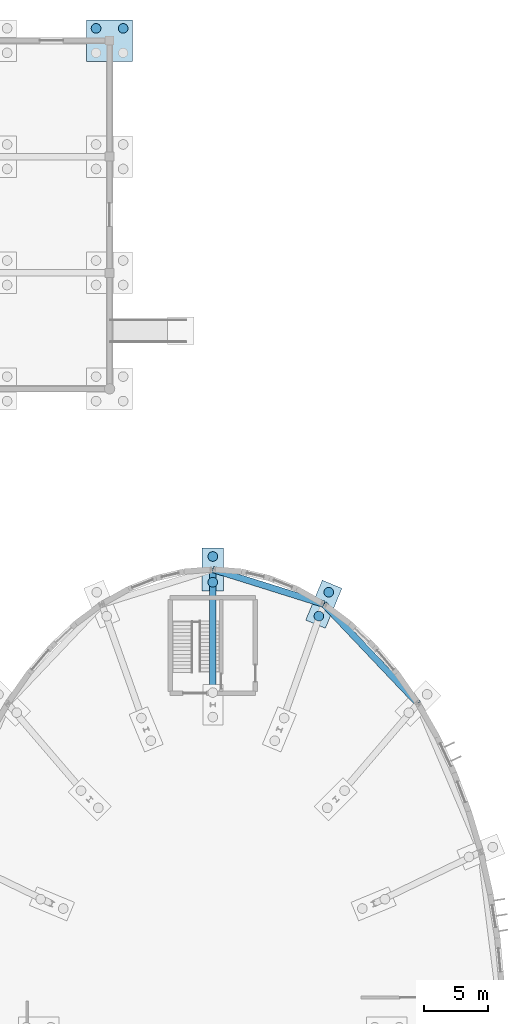
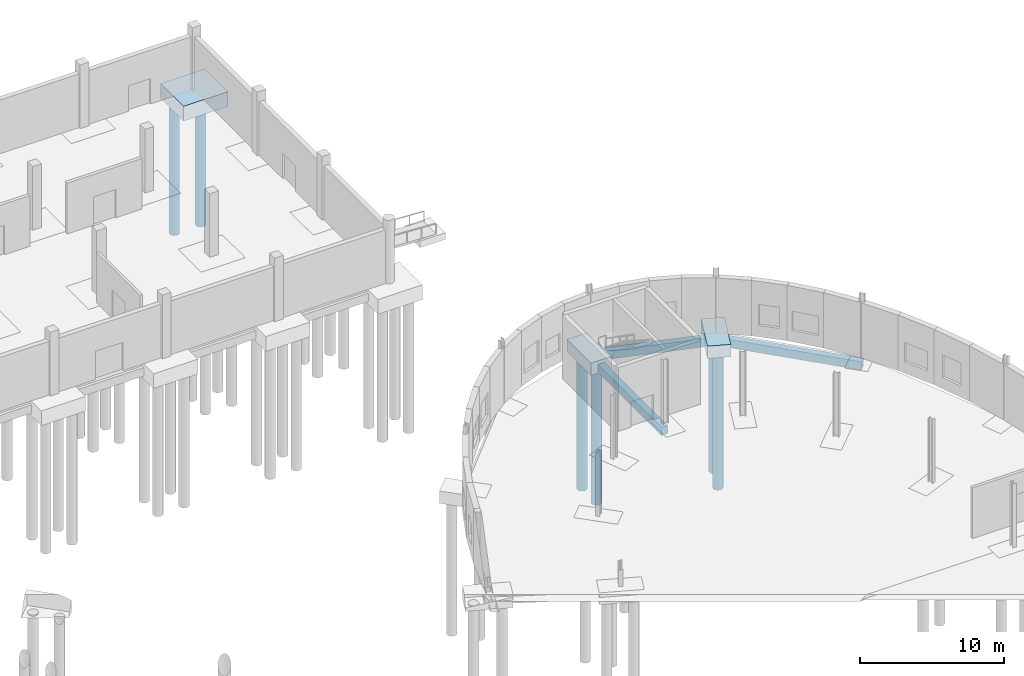
# One storey, part 13 of 118: 6 footings, 6 piles.
"""IFC4 building model written with IfcOpenShell, lengths in metres."""

from ifc_helpers import new_model, si_unit, direction, frame, origin, origin_2d, place, context, subcontext, project, spatial, rectangle, circle, extrude, material, material_profile, profile_set, type_object, element, save


model = new_model("IFC4")

# Units and contexts
model_context = context("Model", 3, precision=1e-05, world=origin(), true_north=direction((0.0, 1.0)))
body_context = subcontext(model_context, "Body", "Model", "MODEL_VIEW")
ifc_project = project(units=[si_unit("LENGTHUNIT", "METRE"), si_unit("AREAUNIT", "SQUARE_METRE"), si_unit("VOLUMEUNIT", "CUBIC_METRE"), si_unit("PLANEANGLEUNIT", "RADIAN"), si_unit("MASSUNIT", "GRAM", prefix="KILO")], contexts=[model_context])

# Site, building, storey
site_placement = place(None, origin())
site = spatial("IfcSite", under=ifc_project, at=site_placement, CompositionType="ELEMENT")
building_placement = place(site_placement, origin())
building = spatial("IfcBuilding", under=site, at=building_placement, Name="Kildeholm Park Wholesale Market", CompositionType="ELEMENT")
storey_placement = place(building_placement, origin())
storey = spatial("IfcBuildingStorey", under=building, at=storey_placement, Name="L00", CompositionType="ELEMENT", Elevation=0.0)

# Piles
ifc_material = material(Name="Concrete C35/45", Category="concrete")
ifc_material_profile_1 = material_profile(ifc_material, circle(Radius=0.375, at=origin_2d()), Name="PILE D750")
ifc_profile_set_1 = profile_set([ifc_material_profile_1], Name="Concrete C35/45")
pile_type = type_object("IfcPileType", Name="Bored pile 750 mm", PredefinedType="BORED", material=ifc_profile_set_1)
for number, where, z_axis, x_axis, name in (
    (1, (196.227294921875, 126.3740234375, -0.949951171875), (0.0, 0.0, -1.0), (1.0, 0.0, 0.0), "Bored pile V2-OT-03.1 PIL-0327"),
    (2, (196.99267578125, 128.221923828125, -0.949951171875), (0.0, 0.0, -1.0), (1.0, 0.0, 0.0), "Bored pile V2-OT-03.2 PIL-0328"),
    (3, (188.0, 129.0, -0.949951171875), (0.0, 0.0, -1.0), (1.0, 0.0, 0.0), "Bored pile V2-OT-04.1 PIL-0331"),
    (4, (188.0, 131.0, -0.949951171875), (0.0, 0.0, -1.0), (1.0, 0.0, 0.0), "Bored pile V2-OT-04.2 PIL-0332"),
):
    element("IfcPile", number, at=place(storey_placement, frame(where, z_axis=z_axis, x_axis=x_axis)), inside=storey, type_object=pile_type, Name=name, PredefinedType="BORED", context=body_context, shape_type="SweptSolid", body=[
        extrude(circle(Radius=0.375, at=origin_2d()), origin(), (0.0, 0.0, 1.0), 11.550048828125),
    ])
for number, where, z_axis, x_axis, name in (
    (5, (178.949951171875, 171.949951171875, -1.14990234375), (0.0, 0.0, -1.0), (1.0, 0.0, 0.0), "Bored pile V4-180-171.3 PIL-0859"),
    (6, (181.050048828125, 171.949951171875, -1.14990234375), (0.0, 0.0, -1.0), (1.0, 0.0, 0.0), "Bored pile V4-180-171.4 PIL-0860"),
):
    element("IfcPile", number, at=place(storey_placement, frame(where, z_axis=z_axis, x_axis=x_axis)), inside=storey, type_object=pile_type, Name=name, PredefinedType="BORED", context=body_context, shape_type="SweptSolid", body=[
        extrude(circle(Radius=0.375, at=origin_2d()), origin(), (0.0, 0.0, 1.0), 11.35009765625),
    ])

# Footings
ifc_material_profile_2 = material_profile(ifc_material, rectangle(XDim=0.5, YDim=0.699951171875, at=origin_2d()), Name="FB 500x700")
ifc_profile_set_2 = profile_set([ifc_material_profile_2], Name="Concrete C35/45")
footing_type_1 = type_object("IfcFootingType", Name="Ground tie beam GB-1 FB 500x700", PredefinedType="FOOTING_BEAM", material=ifc_profile_set_2)
footing_1_placement = place(storey_placement, frame((203.909912109375, 119.60205078125, -0.64990234375), z_axis=(-0.688182467753, 0.725537656554, 0.0), x_axis=(-0.725537656554, -0.688182467753, 0.0)))
element("IfcFooting", 7, at=footing_1_placement, inside=storey, type_object=footing_type_1, Name="Ground tie beam GB-V2-COT-02 FTG-0204", PredefinedType="FOOTING_BEAM", context=body_context, shape_type="SweptSolid", body=[
    extrude(rectangle(XDim=0.5, YDim=0.699951171875, at=origin_2d()), origin(), (0.0, 0.0, 1.0), 10.607421875),
])
footing_2_placement = place(storey_placement, frame((196.610107421875, 127.298095703125, -0.64990234375), z_axis=(-0.954124515816, 0.299410100562, 0.0), x_axis=(-0.299410100562, -0.954124515816, 0.0)))
element("IfcFooting", 8, at=footing_2_placement, inside=storey, type_object=footing_type_1, Name="Ground tie beam GB-V2-COT-03 FTG-0208", PredefinedType="FOOTING_BEAM", context=body_context, shape_type="SweptSolid", body=[
    extrude(rectangle(XDim=0.5, YDim=0.699951171875, at=origin_2d()), origin(), (0.0, 0.0, 1.0), 9.024169921875),
])
footing_3_placement = place(storey_placement, frame((188.0, 119.5, -0.64990234375), z_axis=(0.0, 1.0, 0.0), x_axis=(-1.0, 0.0, 0.0)))
element("IfcFooting", 9, at=footing_3_placement, inside=storey, type_object=footing_type_1, Name="Ground tie beam GB-V2-RAD-04 FTG-0211", PredefinedType="FOOTING_BEAM", context=body_context, shape_type="SweptSolid", body=[
    extrude(rectangle(XDim=0.5, YDim=0.699951171875, at=origin_2d()), origin(), (0.0, 0.0, 1.0), 10.5),
])
footing_type_2 = type_object("IfcFootingType", Name="Pile cap PC-2C 3350x1650x1050", PredefinedType="PILE_CAP", material=ifc_material)
for number, where, z_axis, x_axis, name in (
    (10, (196.610107421875, 127.298095703125, -1.0498046875), (0.0, 0.0, 1.0), (0.382683432365, 0.923879532511, 0.0), "Pile cap V2-OT-03 FTG-0206"),
    (11, (188.0, 130.0, -1.0498046875), (0.0, 0.0, 1.0), (0.0, 1.0, 0.0), "Pile cap V2-OT-04 FTG-0210"),
):
    element("IfcFooting", number, at=place(storey_placement, frame(where, z_axis=z_axis, x_axis=x_axis)), inside=storey, type_object=footing_type_2, Name=name, PredefinedType="PILE_CAP", context=body_context, shape_type="SweptSolid", body=[
        extrude(rectangle(XDim=3.35009765625, YDim=1.64990234375, at=origin_2d()), origin(), (0.0, 0.0, 1.0), 1.050048828125),
    ])
footing_type_3 = type_object("IfcFootingType", Name="Pile cap PC-4D 3550x3200x1250", PredefinedType="PILE_CAP", material=ifc_material)
footing_4_placement = place(storey_placement, frame((180.0, 171.0, -1.25), z_axis=(0.0, 0.0, 1.0), x_axis=(1.0, 0.0, 0.0)))
element("IfcFooting", 12, at=footing_4_placement, inside=storey, type_object=footing_type_3, Name="Pile cap V4-180-171 FTG-0397", PredefinedType="PILE_CAP", context=body_context, shape_type="SweptSolid", body=[
    extrude(rectangle(XDim=3.550048828125, YDim=3.199951171875, at=origin_2d()), origin(), (0.0, 0.0, 1.0), 1.25),
])

save(model, "model.ifc")
